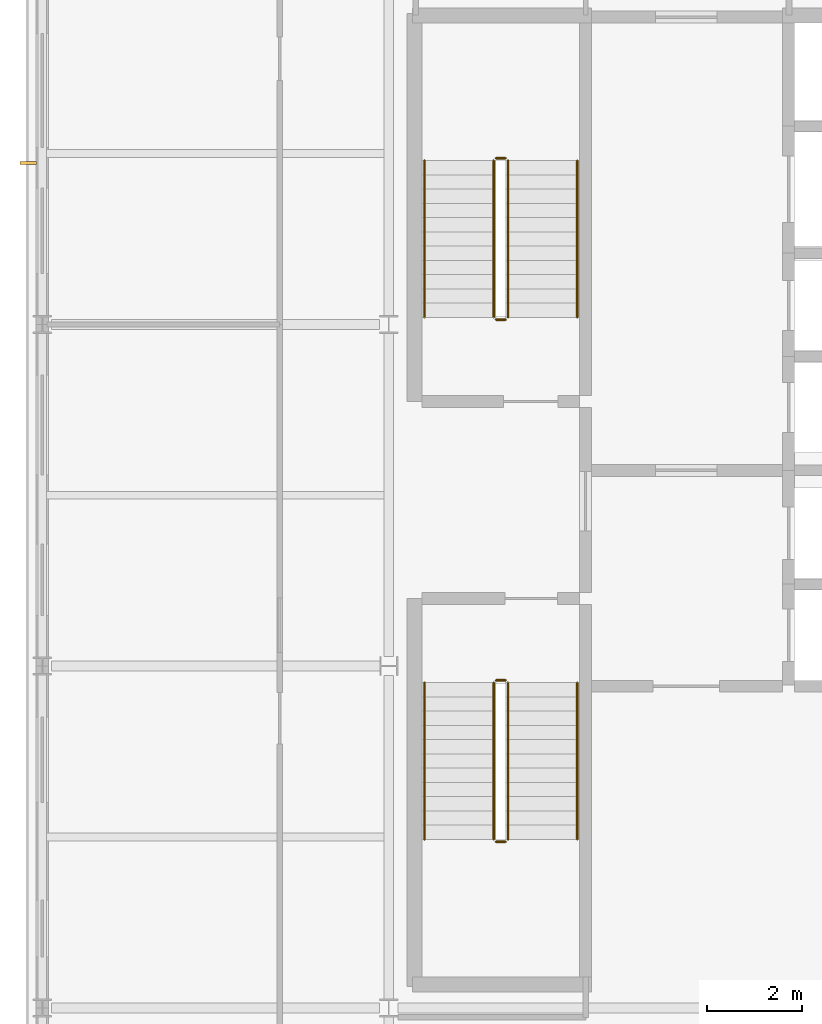
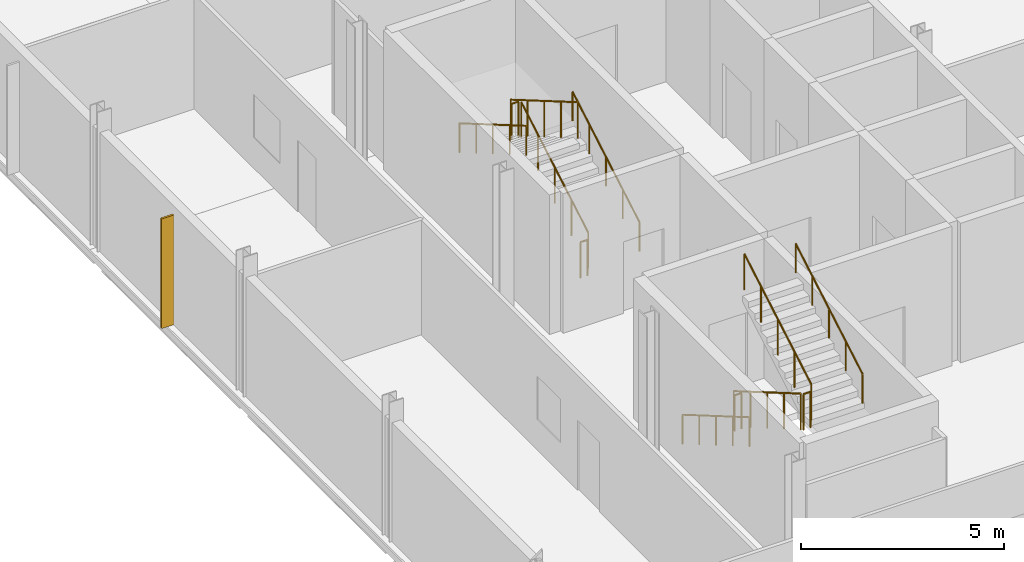
# One storey, part 30 of 36: 12 railings, 1 shading device.
"""IFC4 building model written with IfcOpenShell, lengths in metres."""

from ifc_helpers import new_model, si_unit, direction, frame, origin, origin_2d, place, context, subcontext, project, spatial, rectangle, circle, extrude, material, type_object, element, save


model = new_model("IFC4")

# Units and contexts
model_context = context("Model", 3, precision=1e-05, world=origin(), true_north=direction((0.0, 1.0)))
body_context = subcontext(model_context, "Body", "Model", "MODEL_VIEW")
ifc_project = project(units=[si_unit("LENGTHUNIT", "METRE"), si_unit("AREAUNIT", "SQUARE_METRE"), si_unit("VOLUMEUNIT", "CUBIC_METRE"), si_unit("PLANEANGLEUNIT", "RADIAN"), si_unit("MASSUNIT", "GRAM", prefix="KILO")], contexts=[model_context])

# Site, building, storey
site_placement = place(None, origin())
site = spatial("IfcSite", under=ifc_project, at=site_placement, CompositionType="ELEMENT")
building_placement = place(site_placement, origin())
building = spatial("IfcBuilding", under=site, at=building_placement, Name="Quillay Park Conservatory", CompositionType="ELEMENT")
storey_placement = place(building_placement, frame((0.0, 0.0, 18.300048828125)))
storey = spatial("IfcBuildingStorey", under=building, at=storey_placement, Name="L04", CompositionType="ELEMENT", Elevation=18.300048828125)

# Railings
ifc_material_1 = material(Name="Steel S355J2H", Category="steel")
railing_type_1 = type_object("IfcRailingType", Name="STAIR WALL HANDRAIL 900", PredefinedType="HANDRAIL", material=ifc_material_1)
railing_1_placement = place(storey_placement, frame((11.820068359375, 92.550048828125, 0.175048828125)))
element("IfcRailing", 1, at=railing_1_placement, inside=storey, type_object=railing_type_1, Name="L04 ST-T1 stair handrail 1", PredefinedType="HANDRAIL", context=body_context, shape_type="SweptSolid", body=[
    extrude(circle(Radius=0.02392578125, at=origin_2d()), frame((0.0, 0.0, 0.8759765625), z_axis=(0.0, 0.863804395585, 0.503827317807), x_axis=(-1.0, 0.0, 0.0)), (0.0, 0.0, 1.0), 3.8203125),
    extrude(circle(Radius=0.02099609375, at=origin_2d()), origin(), (0.0, 0.0, 1.0), 0.851806640625),
    extrude(circle(Radius=0.02099609375, at=origin_2d()), frame((0.0, 0.824951171875, 0.481201171875)), (0.0, 0.0, 1.0), 0.851806640625),
    extrude(circle(Radius=0.02099609375, at=origin_2d()), frame((0.0, 1.64990234375, 0.96240234375)), (0.0, 0.0, 1.0), 0.851806640625),
    extrude(circle(Radius=0.02099609375, at=origin_2d()), frame((0.0, 2.47509765625, 1.443603515625)), (0.0, 0.0, 1.0), 0.851806640625),
    extrude(circle(Radius=0.02099609375, at=origin_2d()), frame((0.0, 3.300048828125, 1.9248046875)), (0.0, 0.0, 1.0), 0.851806640625),
])
railing_2_placement = place(storey_placement, frame((8.60009765625, 95.85009765625, 2.27490234375)))
element("IfcRailing", 2, at=railing_2_placement, inside=storey, type_object=railing_type_1, Name="L04 ST-T1 stair handrail 2", PredefinedType="HANDRAIL", context=body_context, shape_type="SweptSolid", body=[
    extrude(circle(Radius=0.02392578125, at=origin_2d()), frame((0.0, 0.0, 0.8759765625), z_axis=(0.0, -0.863776583165, 0.503874998761), x_axis=(1.0, 0.0, 0.0)), (0.0, 0.0, 1.0), 3.820556640625),
    extrude(circle(Radius=0.02099609375, at=origin_2d()), origin(), (0.0, 0.0, 1.0), 0.851806640625),
    extrude(circle(Radius=0.02099609375, at=origin_2d()), frame((0.0, -0.824951171875, 0.481201171875)), (0.0, 0.0, 1.0), 0.851806640625),
    extrude(circle(Radius=0.02099609375, at=origin_2d()), frame((0.0, -1.64990234375, 0.96240234375)), (0.0, 0.0, 1.0), 0.851806640625),
    extrude(circle(Radius=0.02099609375, at=origin_2d()), frame((0.0, -2.47509765625, 1.44384765625)), (0.0, 0.0, 1.0), 0.851806640625),
    extrude(circle(Radius=0.02099609375, at=origin_2d()), frame((0.0, -3.300048828125, 1.925048828125)), (0.0, 0.0, 1.0), 0.851806640625),
])
railing_3_placement = place(storey_placement, frame((8.60009765625, 84.85009765625, 0.175048828125)))
element("IfcRailing", 3, at=railing_3_placement, inside=storey, type_object=railing_type_1, Name="L04 ST-T2 stair handrail 1", PredefinedType="HANDRAIL", context=body_context, shape_type="SweptSolid", body=[
    extrude(circle(Radius=0.02392578125, at=origin_2d()), frame((0.0, 0.0, 0.8759765625), z_axis=(0.0, -0.863804395585, 0.503827317807), x_axis=(1.0, 0.0, 0.0)), (0.0, 0.0, 1.0), 3.8203125),
    extrude(circle(Radius=0.02099609375, at=origin_2d()), origin(), (0.0, 0.0, 1.0), 0.851806640625),
    extrude(circle(Radius=0.02099609375, at=origin_2d()), frame((0.0, -0.824951171875, 0.481201171875)), (0.0, 0.0, 1.0), 0.851806640625),
    extrude(circle(Radius=0.02099609375, at=origin_2d()), frame((0.0, -1.64990234375, 0.96240234375)), (0.0, 0.0, 1.0), 0.851806640625),
    extrude(circle(Radius=0.02099609375, at=origin_2d()), frame((0.0, -2.47509765625, 1.443603515625)), (0.0, 0.0, 1.0), 0.851806640625),
    extrude(circle(Radius=0.02099609375, at=origin_2d()), frame((0.0, -3.300048828125, 1.9248046875)), (0.0, 0.0, 1.0), 0.851806640625),
])
railing_4_placement = place(storey_placement, frame((11.820068359375, 81.550048828125, 2.27490234375)))
element("IfcRailing", 4, at=railing_4_placement, inside=storey, type_object=railing_type_1, Name="L04 ST-T2 stair handrail 2", PredefinedType="HANDRAIL", context=body_context, shape_type="SweptSolid", body=[
    extrude(circle(Radius=0.02392578125, at=origin_2d()), frame((0.0, 0.0, 0.8759765625), z_axis=(0.0, 0.863776583165, 0.503874998761), x_axis=(-1.0, 0.0, 0.0)), (0.0, 0.0, 1.0), 3.820556640625),
    extrude(circle(Radius=0.02099609375, at=origin_2d()), origin(), (0.0, 0.0, 1.0), 0.851806640625),
    extrude(circle(Radius=0.02099609375, at=origin_2d()), frame((0.0, 0.824951171875, 0.481201171875)), (0.0, 0.0, 1.0), 0.851806640625),
    extrude(circle(Radius=0.02099609375, at=origin_2d()), frame((0.0, 1.64990234375, 0.96240234375)), (0.0, 0.0, 1.0), 0.851806640625),
    extrude(circle(Radius=0.02099609375, at=origin_2d()), frame((0.0, 2.47509765625, 1.44384765625)), (0.0, 0.0, 1.0), 0.851806640625),
    extrude(circle(Radius=0.02099609375, at=origin_2d()), frame((0.0, 3.300048828125, 1.925048828125)), (0.0, 0.0, 1.0), 0.851806640625),
])
ifc_material_2 = material(Name="Steel S355J2H", Category="steel")
railing_type_2 = type_object("IfcRailingType", Name="STAIR WELL GUARDRAIL 1100", PredefinedType="GUARDRAIL", material=ifc_material_2)
railing_5_placement = place(storey_placement, frame((10.360107421875, 92.550048828125, 0.175048828125)))
element("IfcRailing", 5, at=railing_5_placement, inside=storey, type_object=railing_type_2, Name="L04 ST-T1 stair guard 1", PredefinedType="GUARDRAIL", context=body_context, shape_type="SweptSolid", body=[
    extrude(circle(Radius=0.02392578125, at=origin_2d()), frame((0.0, 0.0, 1.076171875), z_axis=(0.0, 0.863804395585, 0.503827317807), x_axis=(-1.0, 0.0, 0.0)), (0.0, 0.0, 1.0), 3.8203125),
    extrude(circle(Radius=0.02099609375, at=origin_2d()), origin(), (0.0, 0.0, 1.0), 1.052001953125),
    extrude(circle(Radius=0.02099609375, at=origin_2d()), frame((0.0, 0.824951171875, 0.481201171875)), (0.0, 0.0, 1.0), 1.052001953125),
    extrude(circle(Radius=0.02099609375, at=origin_2d()), frame((0.0, 1.64990234375, 0.96240234375)), (0.0, 0.0, 1.0), 1.052001953125),
    extrude(circle(Radius=0.02099609375, at=origin_2d()), frame((0.0, 2.47509765625, 1.443603515625)), (0.0, 0.0, 1.0), 1.052001953125),
    extrude(circle(Radius=0.02099609375, at=origin_2d()), frame((0.0, 3.300048828125, 1.9248046875)), (0.0, 0.0, 1.0), 1.052001953125),
])
railing_6_placement = place(storey_placement, frame((10.31005859375, 95.89990234375, 2.099853515625)))
element("IfcRailing", 6, at=railing_6_placement, inside=storey, type_object=railing_type_2, Name="L04 ST-T1 stair guard 2", PredefinedType="GUARDRAIL", context=body_context, shape_type="SweptSolid", body=[
    extrude(circle(Radius=0.02392578125, at=origin_2d()), frame((0.0, 0.0, 1.076171875), z_axis=(-1.0, 0.0, 0.0), x_axis=(0.0, -1.0, 0.0)), (0.0, 0.0, 1.0), 0.199951171875),
    extrude(circle(Radius=0.02099609375, at=origin_2d()), origin(), (0.0, 0.0, 1.0), 1.052001953125),
    extrude(circle(Radius=0.02099609375, at=origin_2d()), frame((-0.199951171875, 0.0, 0.0)), (0.0, 0.0, 1.0), 1.052001953125),
])
railing_7_placement = place(storey_placement, frame((10.06005859375, 95.85009765625, 2.27490234375)))
element("IfcRailing", 7, at=railing_7_placement, inside=storey, type_object=railing_type_2, Name="L04 ST-T1 stair guard 3", PredefinedType="GUARDRAIL", context=body_context, shape_type="SweptSolid", body=[
    extrude(circle(Radius=0.02392578125, at=origin_2d()), frame((0.0, 0.0, 1.076171875), z_axis=(0.0, -0.863776583165, 0.503874998761), x_axis=(1.0, 0.0, 0.0)), (0.0, 0.0, 1.0), 3.820556640625),
    extrude(circle(Radius=0.02099609375, at=origin_2d()), origin(), (0.0, 0.0, 1.0), 1.052001953125),
    extrude(circle(Radius=0.02099609375, at=origin_2d()), frame((0.0, -0.824951171875, 0.481201171875)), (0.0, 0.0, 1.0), 1.052001953125),
    extrude(circle(Radius=0.02099609375, at=origin_2d()), frame((0.0, -1.64990234375, 0.96240234375)), (0.0, 0.0, 1.0), 1.052001953125),
    extrude(circle(Radius=0.02099609375, at=origin_2d()), frame((0.0, -2.47509765625, 1.44384765625)), (0.0, 0.0, 1.0), 1.052001953125),
    extrude(circle(Radius=0.02099609375, at=origin_2d()), frame((0.0, -3.300048828125, 1.925048828125)), (0.0, 0.0, 1.0), 1.052001953125),
])
railing_8_placement = place(storey_placement, frame((10.31005859375, 92.5, 0.0)))
element("IfcRailing", 8, at=railing_8_placement, inside=storey, type_object=railing_type_2, Name="L04 ST-T1 stair guard 4", PredefinedType="GUARDRAIL", context=body_context, shape_type="SweptSolid", body=[
    extrude(circle(Radius=0.02392578125, at=origin_2d()), frame((0.0, 0.0, 1.076171875), z_axis=(-1.0, 0.0, 0.0), x_axis=(0.0, -1.0, 0.0)), (0.0, 0.0, 1.0), 0.199951171875),
    extrude(circle(Radius=0.02099609375, at=origin_2d()), origin(), (0.0, 0.0, 1.0), 1.052001953125),
    extrude(circle(Radius=0.02099609375, at=origin_2d()), frame((-0.199951171875, 0.0, 0.0)), (0.0, 0.0, 1.0), 1.052001953125),
])
railing_9_placement = place(storey_placement, frame((10.06005859375, 84.85009765625, 0.175048828125)))
element("IfcRailing", 9, at=railing_9_placement, inside=storey, type_object=railing_type_2, Name="L04 ST-T2 stair guard 1", PredefinedType="GUARDRAIL", context=body_context, shape_type="SweptSolid", body=[
    extrude(circle(Radius=0.02392578125, at=origin_2d()), frame((0.0, 0.0, 1.076171875), z_axis=(0.0, -0.863804395585, 0.503827317807), x_axis=(1.0, 0.0, 0.0)), (0.0, 0.0, 1.0), 3.8203125),
    extrude(circle(Radius=0.02099609375, at=origin_2d()), origin(), (0.0, 0.0, 1.0), 1.052001953125),
    extrude(circle(Radius=0.02099609375, at=origin_2d()), frame((0.0, -0.824951171875, 0.481201171875)), (0.0, 0.0, 1.0), 1.052001953125),
    extrude(circle(Radius=0.02099609375, at=origin_2d()), frame((0.0, -1.64990234375, 0.96240234375)), (0.0, 0.0, 1.0), 1.052001953125),
    extrude(circle(Radius=0.02099609375, at=origin_2d()), frame((0.0, -2.47509765625, 1.443603515625)), (0.0, 0.0, 1.0), 1.052001953125),
    extrude(circle(Radius=0.02099609375, at=origin_2d()), frame((0.0, -3.300048828125, 1.9248046875)), (0.0, 0.0, 1.0), 1.052001953125),
])
railing_10_placement = place(storey_placement, frame((10.110107421875, 81.5, 2.099853515625)))
element("IfcRailing", 10, at=railing_10_placement, inside=storey, type_object=railing_type_2, Name="L04 ST-T2 stair guard 2", PredefinedType="GUARDRAIL", context=body_context, shape_type="SweptSolid", body=[
    extrude(circle(Radius=0.02392578125, at=origin_2d()), frame((0.0, 0.0, 1.076171875), z_axis=(1.0, 0.0, 0.0), x_axis=(0.0, 1.0, 0.0)), (0.0, 0.0, 1.0), 0.199951171875),
    extrude(circle(Radius=0.02099609375, at=origin_2d()), origin(), (0.0, 0.0, 1.0), 1.052001953125),
    extrude(circle(Radius=0.02099609375, at=origin_2d()), frame((0.199951171875, 0.0, 0.0)), (0.0, 0.0, 1.0), 1.052001953125),
])
railing_11_placement = place(storey_placement, frame((10.360107421875, 81.550048828125, 2.27490234375)))
element("IfcRailing", 11, at=railing_11_placement, inside=storey, type_object=railing_type_2, Name="L04 ST-T2 stair guard 3", PredefinedType="GUARDRAIL", context=body_context, shape_type="SweptSolid", body=[
    extrude(circle(Radius=0.02392578125, at=origin_2d()), frame((0.0, 0.0, 1.076171875), z_axis=(0.0, 0.863776583165, 0.503874998761), x_axis=(-1.0, 0.0, 0.0)), (0.0, 0.0, 1.0), 3.820556640625),
    extrude(circle(Radius=0.02099609375, at=origin_2d()), origin(), (0.0, 0.0, 1.0), 1.052001953125),
    extrude(circle(Radius=0.02099609375, at=origin_2d()), frame((0.0, 0.824951171875, 0.481201171875)), (0.0, 0.0, 1.0), 1.052001953125),
    extrude(circle(Radius=0.02099609375, at=origin_2d()), frame((0.0, 1.64990234375, 0.96240234375)), (0.0, 0.0, 1.0), 1.052001953125),
    extrude(circle(Radius=0.02099609375, at=origin_2d()), frame((0.0, 2.47509765625, 1.44384765625)), (0.0, 0.0, 1.0), 1.052001953125),
    extrude(circle(Radius=0.02099609375, at=origin_2d()), frame((0.0, 3.300048828125, 1.925048828125)), (0.0, 0.0, 1.0), 1.052001953125),
])
railing_12_placement = place(storey_placement, frame((10.110107421875, 84.89990234375, 0.0)))
element("IfcRailing", 12, at=railing_12_placement, inside=storey, type_object=railing_type_2, Name="L04 ST-T2 stair guard 4", PredefinedType="GUARDRAIL", context=body_context, shape_type="SweptSolid", body=[
    extrude(circle(Radius=0.02392578125, at=origin_2d()), frame((0.0, 0.0, 1.076171875), z_axis=(1.0, 0.0, 0.0), x_axis=(0.0, 1.0, 0.0)), (0.0, 0.0, 1.0), 0.199951171875),
    extrude(circle(Radius=0.02099609375, at=origin_2d()), origin(), (0.0, 0.0, 1.0), 1.052001953125),
    extrude(circle(Radius=0.02099609375, at=origin_2d()), frame((0.199951171875, 0.0, 0.0)), (0.0, 0.0, 1.0), 1.052001953125),
])

# Shading device
ifc_material_3 = material(Name="Perforated Copper-Bronze Anodised Aluminium", Category="aluminium")
shading_device_type = type_object("IfcShadingDeviceType", Name="COPPER BRONZE SOLAR FIN", PredefinedType="USERDEFINED", material=ifc_material_3)
shading_device_placement = place(storey_placement, frame((0.2548828125, 95.800048828125, 0.0), z_axis=(0.0, 0.0, 1.0), x_axis=(1.0, 0.0, 0.0)))
element("IfcShadingDevice", 13, at=shading_device_placement, inside=storey, type_object=shading_device_type, Name="L04 Perforated Copper-Bronze Solar Fin 013", ObjectType="SOLAR FIN", PredefinedType="USERDEFINED", context=body_context, shape_type="SweptSolid", body=[
    extrude(rectangle(XDim=0.35009765625, YDim=0.054931640625, at=origin_2d()), origin(), (0.0, 0.0, 1.0), 3.300048828125),
])

save(model, "model.ifc")
